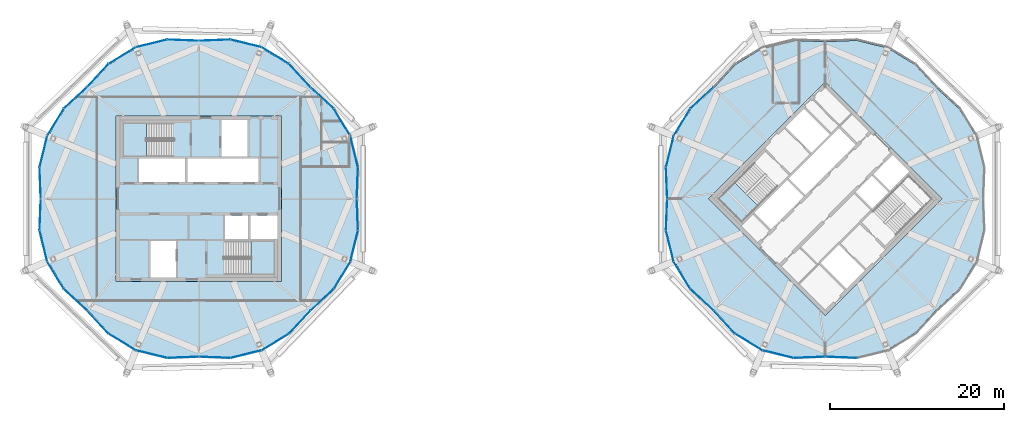
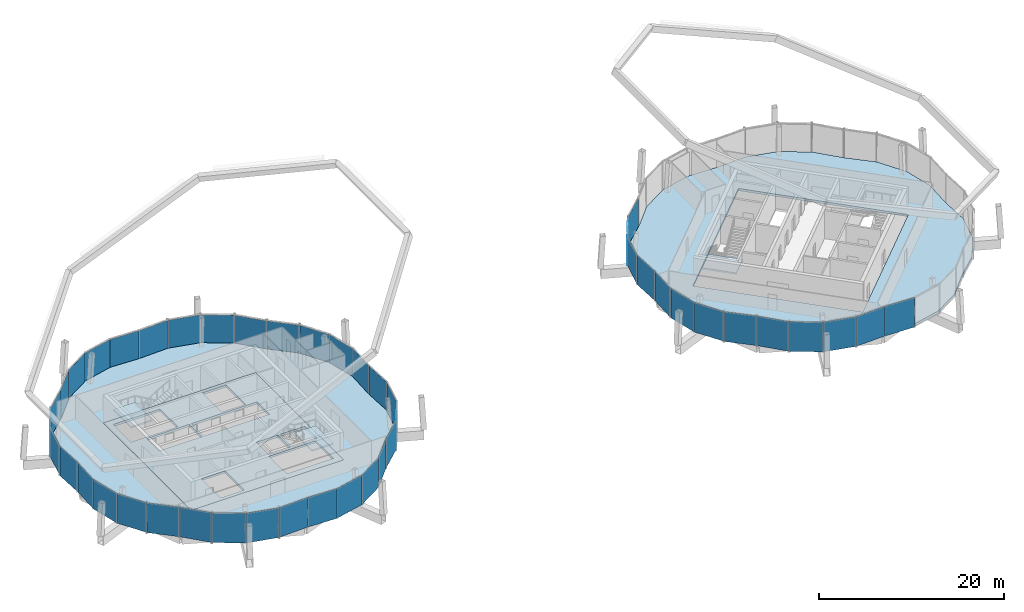
# One storey, part 26 of 34: 45 plates, 6 slabs, 16 elements without a shape of their own.
"""IFC4 building model written with IfcOpenShell, lengths in metres."""

from ifc_helpers import new_model, si_unit, direction, frame, origin, origin_2d, place, context, subcontext, project, spatial, polyline, rectangle, outline, extrude, material, layer, layer_set, type_object, element, aggregate, save


model = new_model("IFC4")

# Units and contexts
model_context = context("Model", 3, precision=1e-05, world=origin(), true_north=direction((0.0, 1.0)))
body_context = subcontext(model_context, "Body", "Model", "MODEL_VIEW")
ifc_project = project(units=[si_unit("LENGTHUNIT", "METRE"), si_unit("AREAUNIT", "SQUARE_METRE"), si_unit("VOLUMEUNIT", "CUBIC_METRE"), si_unit("PLANEANGLEUNIT", "RADIAN"), si_unit("MASSUNIT", "GRAM", prefix="KILO")], contexts=[model_context])

# Site, building, storey
site_placement = place(None, origin())
site = spatial("IfcSite", under=ifc_project, at=site_placement, CompositionType="ELEMENT")
building_placement = place(site_placement, origin())
building = spatial("IfcBuilding", under=site, at=building_placement, Name="Ogive Gate Towers", CompositionType="ELEMENT")
storey_placement = place(building_placement, frame((0.0, 0.0, 294.0)))
storey = spatial("IfcBuildingStorey", under=building, at=storey_placement, Name="L69", CompositionType="ELEMENT", Elevation=294.0)

# Slab
ifc_material_1 = material(Name="Concrete C40/50", Category="concrete")
ifc_layer_1 = layer(ifc_material_1, 0.300048828125)
ifc_layer_set_1 = layer_set([ifc_layer_1], Name="Core slab C40/50 300 mm")
slab_type_1 = type_object("IfcSlabType", Name="Core slab C40/50 300 mm", PredefinedType="FLOOR", material=ifc_layer_set_1)
slab_1_placement = place(storey_placement, frame((0.0, 0.0, -0.300048828125)))
element("IfcSlab", 1, at=slab_1_placement, inside=storey, type_object=slab_type_1, Name="T1 L69 core slab", PredefinedType="FLOOR", context=body_context, shape_type="SweptSolid", body=[
    extrude(outline(polyline([(-45.5, -9.5), (-45.5, 9.5), (-26.5, 9.5), (-26.5, -9.5), (-45.5, -9.5)]), holes=[polyline([(-42.875, 1.925048828125), (-37.574951171875, 1.925048828125), (-37.574951171875, 4.625), (-42.875, 4.625), (-42.875, 1.925048828125)]), polyline([(-37.324951171875, 4.625), (-37.324951171875, 1.925048828125), (-29.125, 1.925048828125), (-29.125, 4.625), (-37.324951171875, 4.625)]), polyline([(-30.324951171875, -1.925048828125), (-32.97509765625, -1.925048828125), (-32.97509765625, -4.625), (-30.324951171875, -4.625), (-30.324951171875, -1.925048828125)]), polyline([(-26.949951171875, -4.625), (-26.949951171875, -1.925048828125), (-30.074951171875, -1.925048828125), (-30.074951171875, -4.625), (-26.949951171875, -4.625)]), polyline([(-33.375, 4.875), (-30.425048828125, 4.875), (-30.425048828125, 9.050048828125), (-33.375, 9.050048828125), (-33.375, 4.875)]), polyline([(-41.574951171875, -4.875), (-41.574951171875, -9.050048828125), (-38.625, -9.050048828125), (-38.625, -4.875), (-41.574951171875, -4.875)]), polyline([(-44.699951171875, 4.875), (-38.885009765625, 4.875), (-38.885009765625, 8.699951171875), (-44.699951171875, 8.699951171875), (-44.699951171875, 4.875)]), polyline([(-27.300048828125, -8.699951171875), (-27.300048828125, -4.875), (-33.114990234375, -4.875), (-33.114990234375, -8.699951171875), (-27.300048828125, -8.699951171875)])]), origin(), (0.0, 0.0, 1.0), 0.300048828125),
])

# Curtain wall, plates
ifc_material_2 = material(Name="Pale metal aluminium", Category="aluminium")
curtain_wall_type = type_object("IfcCurtainWallType", Name="Crown lean wall", PredefinedType="NOTDEFINED", material=ifc_material_2)
curtain_wall_1_placement = place(storey_placement, origin())
curtain_wall_1 = element("IfcCurtainWall", 2, at=curtain_wall_1_placement, inside=storey, type_object=curtain_wall_type, Name="CW5 T1 ECW01", PredefinedType="NOTDEFINED")
ifc_material_3 = material(Name="Clear glass", Category="glass")
ifc_layer_2 = layer(ifc_material_3, 0.028076171875)
ifc_layer_set_2 = layer_set([ifc_layer_2], Name="Crown lean wall glass panel")
plate_type = type_object("IfcPlateType", Name="Crown lean wall glass panel", PredefinedType="CURTAIN_PANEL", material=ifc_layer_set_2)
plate_1_placement = place(storey_placement, frame((-21.82958984375, 11.6064453125, -0.2998046875), z_axis=(0.0, 0.0, 1.0), x_axis=(0.734547567907, -0.678557197649, 0.0)))
plate_1 = element("IfcPlate", 3, at=plate_1_placement, type_object=plate_type, Name="CW5 glass panel", PredefinedType="CURTAIN_PANEL", context=body_context, shape_type="SweptSolid", body=[
    extrude(rectangle(XDim=3.5849609375, YDim=0.028076171875, at=origin_2d()), origin(), (0.0, 0.0, 1.0), 3.904052734375),
])
plate_2_placement = place(storey_placement, frame((-19.53662109375, 8.794189453125, -0.2998046875), z_axis=(0.0, 0.0, 1.0), x_axis=(0.51862403999, -0.855002400666, 0.0)))
plate_2 = element("IfcPlate", 4, at=plate_2_placement, type_object=plate_type, Name="CW5 glass panel", PredefinedType="CURTAIN_PANEL", context=body_context, shape_type="SweptSolid", body=[
    extrude(rectangle(XDim=3.639892578125, YDim=0.028076171875, at=origin_2d()), origin(), (0.0, 0.0, 1.0), 3.904052734375),
])
plate_3_placement = place(storey_placement, frame((-18.14013671875, 5.4228515625, -0.2998046875), z_axis=(0.0, 0.0, 1.0), x_axis=(0.237872372235, -0.971296419497, 0.0)))
plate_3 = element("IfcPlate", 5, at=plate_3_placement, type_object=plate_type, Name="CW5 glass panel", PredefinedType="CURTAIN_PANEL", context=body_context, shape_type="SweptSolid", body=[
    extrude(rectangle(XDim=3.6396484375, YDim=0.028076171875, at=origin_2d()), origin(), (0.0, 0.0, 1.0), 3.904052734375),
])
plate_4_placement = place(storey_placement, frame((-17.77294921875, 1.81298828125, -0.2998046875), z_axis=(0.0, 0.0, 1.0), x_axis=(-0.039608610093, -0.999215271104, 0.0)))
plate_4 = element("IfcPlate", 6, at=plate_4_placement, type_object=plate_type, Name="CW5 glass panel", PredefinedType="CURTAIN_PANEL", context=body_context, shape_type="SweptSolid", body=[
    extrude(rectangle(XDim=3.5849609375, YDim=0.028076171875, at=origin_2d()), origin(), (0.0, 0.0, 1.0), 3.904052734375),
])
aggregate(curtain_wall_1, [plate_1, plate_2, plate_3, plate_4])

curtain_wall_2_placement = place(storey_placement, origin())
curtain_wall_2 = element("IfcCurtainWall", 7, at=curtain_wall_2_placement, inside=storey, type_object=curtain_wall_type, Name="CW5 T1 ECW02", PredefinedType="NOTDEFINED")
plate_5_placement = place(storey_placement, frame((-34.18701171875, 18.22705078125, -0.2998046875), z_axis=(0.0, 0.0, 1.0), x_axis=(0.999215271104, 0.039608610093, 0.0)))
plate_5 = element("IfcPlate", 8, at=plate_5_placement, type_object=plate_type, Name="CW5 glass panel", PredefinedType="CURTAIN_PANEL", context=body_context, shape_type="SweptSolid", body=[
    extrude(rectangle(XDim=3.5849609375, YDim=0.028076171875, at=origin_2d()), origin(), (0.0, 0.0, 1.0), 3.904052734375),
])
plate_6_placement = place(storey_placement, frame((-30.5771484375, 17.85986328125, -0.2998046875), z_axis=(0.0, 0.0, 1.0), x_axis=(0.971296419497, -0.237872372235, 0.0)))
plate_6 = element("IfcPlate", 9, at=plate_6_placement, type_object=plate_type, Name="CW5 glass panel", PredefinedType="CURTAIN_PANEL", context=body_context, shape_type="SweptSolid", body=[
    extrude(rectangle(XDim=3.6396484375, YDim=0.028076171875, at=origin_2d()), origin(), (0.0, 0.0, 1.0), 3.904052734375),
])
plate_7_placement = place(storey_placement, frame((-27.205810546875, 16.46337890625, -0.2998046875), z_axis=(0.0, 0.0, 1.0), x_axis=(0.855002400666, -0.51862403999, 0.0)))
plate_7 = element("IfcPlate", 10, at=plate_7_placement, type_object=plate_type, Name="CW5 glass panel", PredefinedType="CURTAIN_PANEL", context=body_context, shape_type="SweptSolid", body=[
    extrude(rectangle(XDim=3.639892578125, YDim=0.028076171875, at=origin_2d()), origin(), (0.0, 0.0, 1.0), 3.904052734375),
])
plate_8_placement = place(storey_placement, frame((-24.3935546875, 14.17041015625, -0.2998046875), z_axis=(0.0, 0.0, 1.0), x_axis=(0.678557197649, -0.734547567907, 0.0)))
plate_8 = element("IfcPlate", 11, at=plate_8_placement, type_object=plate_type, Name="CW5 glass panel", PredefinedType="CURTAIN_PANEL", context=body_context, shape_type="SweptSolid", body=[
    extrude(rectangle(XDim=3.5849609375, YDim=0.028076171875, at=origin_2d()), origin(), (0.0, 0.0, 1.0), 3.904052734375),
])
aggregate(curtain_wall_2, [plate_5, plate_6, plate_7, plate_8])

curtain_wall_3_placement = place(storey_placement, origin())
curtain_wall_3 = element("IfcCurtainWall", 12, at=curtain_wall_3_placement, inside=storey, type_object=curtain_wall_type, Name="CW5 T1 ECW03", PredefinedType="NOTDEFINED")
plate_9_placement = place(storey_placement, frame((-47.6064453125, 14.17041015625, -0.2998046875), z_axis=(0.0, 0.0, 1.0), x_axis=(0.678557197649, 0.734547567907, 0.0)))
plate_9 = element("IfcPlate", 13, at=plate_9_placement, type_object=plate_type, Name="CW5 glass panel", PredefinedType="CURTAIN_PANEL", context=body_context, shape_type="SweptSolid", body=[
    extrude(rectangle(XDim=3.5849609375, YDim=0.028076171875, at=origin_2d()), origin(), (0.0, 0.0, 1.0), 3.904052734375),
])
plate_10_placement = place(storey_placement, frame((-44.794189453125, 16.46337890625, -0.2998046875), z_axis=(0.0, 0.0, 1.0), x_axis=(0.855002400666, 0.51862403999, 0.0)))
plate_10 = element("IfcPlate", 14, at=plate_10_placement, type_object=plate_type, Name="CW5 glass panel", PredefinedType="CURTAIN_PANEL", context=body_context, shape_type="SweptSolid", body=[
    extrude(rectangle(XDim=3.639892578125, YDim=0.028076171875, at=origin_2d()), origin(), (0.0, 0.0, 1.0), 3.904052734375),
])
plate_11_placement = place(storey_placement, frame((-41.4228515625, 17.85986328125, -0.2998046875), z_axis=(0.0, 0.0, 1.0), x_axis=(0.971296419497, 0.237872372235, 0.0)))
plate_11 = element("IfcPlate", 15, at=plate_11_placement, type_object=plate_type, Name="CW5 glass panel", PredefinedType="CURTAIN_PANEL", context=body_context, shape_type="SweptSolid", body=[
    extrude(rectangle(XDim=3.6396484375, YDim=0.028076171875, at=origin_2d()), origin(), (0.0, 0.0, 1.0), 3.904052734375),
])
plate_12_placement = place(storey_placement, frame((-37.81298828125, 18.22705078125, -0.2998046875), z_axis=(0.0, 0.0, 1.0), x_axis=(0.999215271104, -0.039608610093, 0.0)))
plate_12 = element("IfcPlate", 16, at=plate_12_placement, type_object=plate_type, Name="CW5 glass panel", PredefinedType="CURTAIN_PANEL", context=body_context, shape_type="SweptSolid", body=[
    extrude(rectangle(XDim=3.5849609375, YDim=0.028076171875, at=origin_2d()), origin(), (0.0, 0.0, 1.0), 3.904052734375),
])
aggregate(curtain_wall_3, [plate_9, plate_10, plate_11, plate_12])

curtain_wall_4_placement = place(storey_placement, origin())
curtain_wall_4 = element("IfcCurtainWall", 17, at=curtain_wall_4_placement, inside=storey, type_object=curtain_wall_type, Name="CW5 T1 ECW04", PredefinedType="NOTDEFINED")
plate_13_placement = place(storey_placement, frame((-54.22705078125, 1.81298828125, -0.2998046875), z_axis=(0.0, 0.0, 1.0), x_axis=(-0.039608610093, 0.999215271104, 0.0)))
plate_13 = element("IfcPlate", 18, at=plate_13_placement, type_object=plate_type, Name="CW5 glass panel", PredefinedType="CURTAIN_PANEL", context=body_context, shape_type="SweptSolid", body=[
    extrude(rectangle(XDim=3.5849609375, YDim=0.028076171875, at=origin_2d()), origin(), (0.0, 0.0, 1.0), 3.904052734375),
])
plate_14_placement = place(storey_placement, frame((-53.85986328125, 5.4228515625, -0.2998046875), z_axis=(0.0, 0.0, 1.0), x_axis=(0.237872372235, 0.971296419497, 0.0)))
plate_14 = element("IfcPlate", 19, at=plate_14_placement, type_object=plate_type, Name="CW5 glass panel", PredefinedType="CURTAIN_PANEL", context=body_context, shape_type="SweptSolid", body=[
    extrude(rectangle(XDim=3.6396484375, YDim=0.028076171875, at=origin_2d()), origin(), (0.0, 0.0, 1.0), 3.904052734375),
])
plate_15_placement = place(storey_placement, frame((-52.46337890625, 8.794189453125, -0.2998046875), z_axis=(0.0, 0.0, 1.0), x_axis=(0.51862403999, 0.855002400666, 0.0)))
plate_15 = element("IfcPlate", 20, at=plate_15_placement, type_object=plate_type, Name="CW5 glass panel", PredefinedType="CURTAIN_PANEL", context=body_context, shape_type="SweptSolid", body=[
    extrude(rectangle(XDim=3.639892578125, YDim=0.028076171875, at=origin_2d()), origin(), (0.0, 0.0, 1.0), 3.904052734375),
])
plate_16_placement = place(storey_placement, frame((-50.17041015625, 11.6064453125, -0.2998046875), z_axis=(0.0, 0.0, 1.0), x_axis=(0.734547567907, 0.678557197649, 0.0)))
plate_16 = element("IfcPlate", 21, at=plate_16_placement, type_object=plate_type, Name="CW5 glass panel", PredefinedType="CURTAIN_PANEL", context=body_context, shape_type="SweptSolid", body=[
    extrude(rectangle(XDim=3.5849609375, YDim=0.028076171875, at=origin_2d()), origin(), (0.0, 0.0, 1.0), 3.904052734375),
])
aggregate(curtain_wall_4, [plate_13, plate_14, plate_15, plate_16])

curtain_wall_5_placement = place(storey_placement, origin())
curtain_wall_5 = element("IfcCurtainWall", 22, at=curtain_wall_5_placement, inside=storey, type_object=curtain_wall_type, Name="CW5 T1 ECW05", PredefinedType="NOTDEFINED")
plate_17_placement = place(storey_placement, frame((-50.17041015625, -11.6064453125, -0.2998046875), z_axis=(0.0, 0.0, 1.0), x_axis=(-0.734547567907, 0.678557197649, 0.0)))
plate_17 = element("IfcPlate", 23, at=plate_17_placement, type_object=plate_type, Name="CW5 glass panel", PredefinedType="CURTAIN_PANEL", context=body_context, shape_type="SweptSolid", body=[
    extrude(rectangle(XDim=3.5849609375, YDim=0.028076171875, at=origin_2d()), origin(), (0.0, 0.0, 1.0), 3.904052734375),
])
plate_18_placement = place(storey_placement, frame((-52.46337890625, -8.794189453125, -0.2998046875), z_axis=(0.0, 0.0, 1.0), x_axis=(-0.51862403999, 0.855002400666, 0.0)))
plate_18 = element("IfcPlate", 24, at=plate_18_placement, type_object=plate_type, Name="CW5 glass panel", PredefinedType="CURTAIN_PANEL", context=body_context, shape_type="SweptSolid", body=[
    extrude(rectangle(XDim=3.639892578125, YDim=0.028076171875, at=origin_2d()), origin(), (0.0, 0.0, 1.0), 3.904052734375),
])
plate_19_placement = place(storey_placement, frame((-53.85986328125, -5.4228515625, -0.2998046875), z_axis=(0.0, 0.0, 1.0), x_axis=(-0.237872372235, 0.971296419497, 0.0)))
plate_19 = element("IfcPlate", 25, at=plate_19_placement, type_object=plate_type, Name="CW5 glass panel", PredefinedType="CURTAIN_PANEL", context=body_context, shape_type="SweptSolid", body=[
    extrude(rectangle(XDim=3.6396484375, YDim=0.028076171875, at=origin_2d()), origin(), (0.0, 0.0, 1.0), 3.904052734375),
])
plate_20_placement = place(storey_placement, frame((-54.22705078125, -1.81298828125, -0.2998046875), z_axis=(0.0, 0.0, 1.0), x_axis=(0.039608610093, 0.999215271104, 0.0)))
plate_20 = element("IfcPlate", 26, at=plate_20_placement, type_object=plate_type, Name="CW5 glass panel", PredefinedType="CURTAIN_PANEL", context=body_context, shape_type="SweptSolid", body=[
    extrude(rectangle(XDim=3.5849609375, YDim=0.028076171875, at=origin_2d()), origin(), (0.0, 0.0, 1.0), 3.904052734375),
])
aggregate(curtain_wall_5, [plate_17, plate_18, plate_19, plate_20])

curtain_wall_6_placement = place(storey_placement, origin())
curtain_wall_6 = element("IfcCurtainWall", 27, at=curtain_wall_6_placement, inside=storey, type_object=curtain_wall_type, Name="CW5 T1 ECW06", PredefinedType="NOTDEFINED")
plate_21_placement = place(storey_placement, frame((-37.81298828125, -18.22705078125, -0.2998046875), z_axis=(0.0, 0.0, 1.0), x_axis=(-0.999215271104, -0.039608610093, 0.0)))
plate_21 = element("IfcPlate", 28, at=plate_21_placement, type_object=plate_type, Name="CW5 glass panel", PredefinedType="CURTAIN_PANEL", context=body_context, shape_type="SweptSolid", body=[
    extrude(rectangle(XDim=3.5849609375, YDim=0.028076171875, at=origin_2d()), origin(), (0.0, 0.0, 1.0), 3.904052734375),
])
plate_22_placement = place(storey_placement, frame((-41.4228515625, -17.85986328125, -0.2998046875), z_axis=(0.0, 0.0, 1.0), x_axis=(-0.971296419497, 0.237872372235, 0.0)))
plate_22 = element("IfcPlate", 29, at=plate_22_placement, type_object=plate_type, Name="CW5 glass panel", PredefinedType="CURTAIN_PANEL", context=body_context, shape_type="SweptSolid", body=[
    extrude(rectangle(XDim=3.6396484375, YDim=0.028076171875, at=origin_2d()), origin(), (0.0, 0.0, 1.0), 3.904052734375),
])
plate_23_placement = place(storey_placement, frame((-44.794189453125, -16.46337890625, -0.2998046875), z_axis=(0.0, 0.0, 1.0), x_axis=(-0.855002400666, 0.51862403999, 0.0)))
plate_23 = element("IfcPlate", 30, at=plate_23_placement, type_object=plate_type, Name="CW5 glass panel", PredefinedType="CURTAIN_PANEL", context=body_context, shape_type="SweptSolid", body=[
    extrude(rectangle(XDim=3.639892578125, YDim=0.028076171875, at=origin_2d()), origin(), (0.0, 0.0, 1.0), 3.904052734375),
])
plate_24_placement = place(storey_placement, frame((-47.6064453125, -14.17041015625, -0.2998046875), z_axis=(0.0, 0.0, 1.0), x_axis=(-0.678557197649, 0.734547567907, 0.0)))
plate_24 = element("IfcPlate", 31, at=plate_24_placement, type_object=plate_type, Name="CW5 glass panel", PredefinedType="CURTAIN_PANEL", context=body_context, shape_type="SweptSolid", body=[
    extrude(rectangle(XDim=3.5849609375, YDim=0.028076171875, at=origin_2d()), origin(), (0.0, 0.0, 1.0), 3.904052734375),
])
aggregate(curtain_wall_6, [plate_21, plate_22, plate_23, plate_24])

curtain_wall_7_placement = place(storey_placement, origin())
curtain_wall_7 = element("IfcCurtainWall", 32, at=curtain_wall_7_placement, inside=storey, type_object=curtain_wall_type, Name="CW5 T1 ECW07", PredefinedType="NOTDEFINED")
plate_25_placement = place(storey_placement, frame((-24.3935546875, -14.17041015625, -0.2998046875), z_axis=(0.0, 0.0, 1.0), x_axis=(-0.678557197649, -0.734547567907, 0.0)))
plate_25 = element("IfcPlate", 33, at=plate_25_placement, type_object=plate_type, Name="CW5 glass panel", PredefinedType="CURTAIN_PANEL", context=body_context, shape_type="SweptSolid", body=[
    extrude(rectangle(XDim=3.5849609375, YDim=0.028076171875, at=origin_2d()), origin(), (0.0, 0.0, 1.0), 3.904052734375),
])
plate_26_placement = place(storey_placement, frame((-27.205810546875, -16.46337890625, -0.2998046875), z_axis=(0.0, 0.0, 1.0), x_axis=(-0.855002400666, -0.51862403999, 0.0)))
plate_26 = element("IfcPlate", 34, at=plate_26_placement, type_object=plate_type, Name="CW5 glass panel", PredefinedType="CURTAIN_PANEL", context=body_context, shape_type="SweptSolid", body=[
    extrude(rectangle(XDim=3.639892578125, YDim=0.028076171875, at=origin_2d()), origin(), (0.0, 0.0, 1.0), 3.904052734375),
])
plate_27_placement = place(storey_placement, frame((-30.5771484375, -17.85986328125, -0.2998046875), z_axis=(0.0, 0.0, 1.0), x_axis=(-0.971296419497, -0.237872372235, 0.0)))
plate_27 = element("IfcPlate", 35, at=plate_27_placement, type_object=plate_type, Name="CW5 glass panel", PredefinedType="CURTAIN_PANEL", context=body_context, shape_type="SweptSolid", body=[
    extrude(rectangle(XDim=3.6396484375, YDim=0.028076171875, at=origin_2d()), origin(), (0.0, 0.0, 1.0), 3.904052734375),
])
plate_28_placement = place(storey_placement, frame((-34.18701171875, -18.22705078125, -0.2998046875), z_axis=(0.0, 0.0, 1.0), x_axis=(-0.999215271104, 0.039608610093, 0.0)))
plate_28 = element("IfcPlate", 36, at=plate_28_placement, type_object=plate_type, Name="CW5 glass panel", PredefinedType="CURTAIN_PANEL", context=body_context, shape_type="SweptSolid", body=[
    extrude(rectangle(XDim=3.5849609375, YDim=0.028076171875, at=origin_2d()), origin(), (0.0, 0.0, 1.0), 3.904052734375),
])
aggregate(curtain_wall_7, [plate_25, plate_26, plate_27, plate_28])

curtain_wall_8_placement = place(storey_placement, origin())
curtain_wall_8 = element("IfcCurtainWall", 37, at=curtain_wall_8_placement, inside=storey, type_object=curtain_wall_type, Name="CW5 T1 ECW08", PredefinedType="NOTDEFINED")
plate_29_placement = place(storey_placement, frame((-18.1396484375, -5.4208984375, -0.2998046875), z_axis=(0.0, 0.0, 1.0), x_axis=(-0.237872372235, -0.971296419497, 0.0)))
plate_29 = element("IfcPlate", 38, at=plate_29_placement, type_object=plate_type, Name="CW5 glass panel", PredefinedType="CURTAIN_PANEL", context=body_context, shape_type="SweptSolid", body=[
    extrude(rectangle(XDim=3.643798828125, YDim=0.028076171875, at=origin_2d()), origin(), (0.0, 0.0, 1.0), 3.904052734375),
])
plate_30_placement = place(storey_placement, frame((-19.53662109375, -8.794189453125, -0.2998046875), z_axis=(0.0, 0.0, 1.0), x_axis=(-0.51862403999, -0.855002400666, 0.0)))
plate_30 = element("IfcPlate", 39, at=plate_30_placement, type_object=plate_type, Name="CW5 glass panel", PredefinedType="CURTAIN_PANEL", context=body_context, shape_type="SweptSolid", body=[
    extrude(rectangle(XDim=3.639892578125, YDim=0.028076171875, at=origin_2d()), origin(), (0.0, 0.0, 1.0), 3.904052734375),
])
plate_31_placement = place(storey_placement, frame((-21.82958984375, -11.6064453125, -0.2998046875), z_axis=(0.0, 0.0, 1.0), x_axis=(-0.734547567907, -0.678557197649, 0.0)))
plate_31 = element("IfcPlate", 40, at=plate_31_placement, type_object=plate_type, Name="CW5 glass panel", PredefinedType="CURTAIN_PANEL", context=body_context, shape_type="SweptSolid", body=[
    extrude(rectangle(XDim=3.5849609375, YDim=0.028076171875, at=origin_2d()), origin(), (0.0, 0.0, 1.0), 3.904052734375),
])
aggregate(curtain_wall_8, [plate_29, plate_30, plate_31])

# Curtain wall, plate
curtain_wall_9_placement = place(storey_placement, origin())
curtain_wall_9 = element("IfcCurtainWall", 41, at=curtain_wall_9_placement, inside=storey, type_object=curtain_wall_type, Name="CW5 T1 ECW08b", PredefinedType="NOTDEFINED")
plate_32_placement = place(storey_placement, frame((-17.77294921875, -1.81494140625, -0.2998046875), z_axis=(0.0, 0.0, 1.0), x_axis=(0.039608610093, -0.999215271104, 0.0)))
plate_32 = element("IfcPlate", 42, at=plate_32_placement, type_object=plate_type, Name="CW5 glass panel", PredefinedType="CURTAIN_PANEL", context=body_context, shape_type="SweptSolid", body=[
    extrude(rectangle(XDim=3.5888671875, YDim=0.028076171875, at=origin_2d()), origin(), (0.0, 0.0, 1.0), 3.904052734375),
])
aggregate(curtain_wall_9, [plate_32])

# Curtain wall, plates
curtain_wall_10_placement = place(storey_placement, origin())
curtain_wall_10 = element("IfcCurtainWall", 43, at=curtain_wall_10_placement, inside=storey, type_object=curtain_wall_type, Name="CW5 T2 ECW04", PredefinedType="NOTDEFINED")
plate_33_placement = place(storey_placement, frame((17.77294921875, 1.81298828125, -0.2998046875), z_axis=(0.0, 0.0, 1.0), x_axis=(-0.039608610093, 0.999215271104, 0.0)))
plate_33 = element("IfcPlate", 44, at=plate_33_placement, type_object=plate_type, Name="CW5 glass panel", PredefinedType="CURTAIN_PANEL", context=body_context, shape_type="SweptSolid", body=[
    extrude(rectangle(XDim=3.5849609375, YDim=0.028076171875, at=origin_2d()), origin(), (0.0, 0.0, 1.0), 3.904052734375),
])
plate_34_placement = place(storey_placement, frame((18.14013671875, 5.4228515625, -0.2998046875), z_axis=(0.0, 0.0, 1.0), x_axis=(0.237872372235, 0.971296419497, 0.0)))
plate_34 = element("IfcPlate", 45, at=plate_34_placement, type_object=plate_type, Name="CW5 glass panel", PredefinedType="CURTAIN_PANEL", context=body_context, shape_type="SweptSolid", body=[
    extrude(rectangle(XDim=3.6396484375, YDim=0.028076171875, at=origin_2d()), origin(), (0.0, 0.0, 1.0), 3.904052734375),
])
plate_35_placement = place(storey_placement, frame((19.53662109375, 8.794189453125, -0.2998046875), z_axis=(0.0, 0.0, 1.0), x_axis=(0.51862403999, 0.855002400666, 0.0)))
plate_35 = element("IfcPlate", 46, at=plate_35_placement, type_object=plate_type, Name="CW5 glass panel", PredefinedType="CURTAIN_PANEL", context=body_context, shape_type="SweptSolid", body=[
    extrude(rectangle(XDim=3.639892578125, YDim=0.028076171875, at=origin_2d()), origin(), (0.0, 0.0, 1.0), 3.904052734375),
])
plate_36_placement = place(storey_placement, frame((21.82958984375, 11.6064453125, -0.2998046875), z_axis=(0.0, 0.0, 1.0), x_axis=(0.734547567907, 0.678557197649, 0.0)))
plate_36 = element("IfcPlate", 47, at=plate_36_placement, type_object=plate_type, Name="CW5 glass panel", PredefinedType="CURTAIN_PANEL", context=body_context, shape_type="SweptSolid", body=[
    extrude(rectangle(XDim=3.5849609375, YDim=0.028076171875, at=origin_2d()), origin(), (0.0, 0.0, 1.0), 3.904052734375),
])
aggregate(curtain_wall_10, [plate_33, plate_34, plate_35, plate_36])

curtain_wall_11_placement = place(storey_placement, origin())
curtain_wall_11 = element("IfcCurtainWall", 48, at=curtain_wall_11_placement, inside=storey, type_object=curtain_wall_type, Name="CW5 T2 ECW05", PredefinedType="NOTDEFINED")
plate_37_placement = place(storey_placement, frame((21.82958984375, -11.6064453125, -0.2998046875), z_axis=(0.0, 0.0, 1.0), x_axis=(-0.734547567907, 0.678557197649, 0.0)))
plate_37 = element("IfcPlate", 49, at=plate_37_placement, type_object=plate_type, Name="CW5 glass panel", PredefinedType="CURTAIN_PANEL", context=body_context, shape_type="SweptSolid", body=[
    extrude(rectangle(XDim=3.5849609375, YDim=0.028076171875, at=origin_2d()), origin(), (0.0, 0.0, 1.0), 3.904052734375),
])
plate_38_placement = place(storey_placement, frame((19.53662109375, -8.794189453125, -0.2998046875), z_axis=(0.0, 0.0, 1.0), x_axis=(-0.51862403999, 0.855002400666, 0.0)))
plate_38 = element("IfcPlate", 50, at=plate_38_placement, type_object=plate_type, Name="CW5 glass panel", PredefinedType="CURTAIN_PANEL", context=body_context, shape_type="SweptSolid", body=[
    extrude(rectangle(XDim=3.639892578125, YDim=0.028076171875, at=origin_2d()), origin(), (0.0, 0.0, 1.0), 3.904052734375),
])
plate_39_placement = place(storey_placement, frame((18.14013671875, -5.4228515625, -0.2998046875), z_axis=(0.0, 0.0, 1.0), x_axis=(-0.237872372235, 0.971296419497, 0.0)))
plate_39 = element("IfcPlate", 51, at=plate_39_placement, type_object=plate_type, Name="CW5 glass panel", PredefinedType="CURTAIN_PANEL", context=body_context, shape_type="SweptSolid", body=[
    extrude(rectangle(XDim=3.6396484375, YDim=0.028076171875, at=origin_2d()), origin(), (0.0, 0.0, 1.0), 3.904052734375),
])
plate_40_placement = place(storey_placement, frame((17.77294921875, -1.81298828125, -0.2998046875), z_axis=(0.0, 0.0, 1.0), x_axis=(0.039608610093, 0.999215271104, 0.0)))
plate_40 = element("IfcPlate", 52, at=plate_40_placement, type_object=plate_type, Name="CW5 glass panel", PredefinedType="CURTAIN_PANEL", context=body_context, shape_type="SweptSolid", body=[
    extrude(rectangle(XDim=3.5849609375, YDim=0.028076171875, at=origin_2d()), origin(), (0.0, 0.0, 1.0), 3.904052734375),
])
aggregate(curtain_wall_11, [plate_37, plate_38, plate_39, plate_40])

curtain_wall_12_placement = place(storey_placement, origin())
curtain_wall_12 = element("IfcCurtainWall", 53, at=curtain_wall_12_placement, inside=storey, type_object=curtain_wall_type, Name="CW5 T2 ECW06", PredefinedType="NOTDEFINED")
plate_41_placement = place(storey_placement, frame((34.18701171875, -18.22705078125, -0.2998046875), z_axis=(0.0, 0.0, 1.0), x_axis=(-0.999215271104, -0.039608610093, 0.0)))
plate_41 = element("IfcPlate", 54, at=plate_41_placement, type_object=plate_type, Name="CW5 glass panel", PredefinedType="CURTAIN_PANEL", context=body_context, shape_type="SweptSolid", body=[
    extrude(rectangle(XDim=3.5849609375, YDim=0.028076171875, at=origin_2d()), origin(), (0.0, 0.0, 1.0), 3.904052734375),
])
plate_42_placement = place(storey_placement, frame((30.5771484375, -17.85986328125, -0.2998046875), z_axis=(0.0, 0.0, 1.0), x_axis=(-0.971296419497, 0.237872372235, 0.0)))
plate_42 = element("IfcPlate", 55, at=plate_42_placement, type_object=plate_type, Name="CW5 glass panel", PredefinedType="CURTAIN_PANEL", context=body_context, shape_type="SweptSolid", body=[
    extrude(rectangle(XDim=3.6396484375, YDim=0.028076171875, at=origin_2d()), origin(), (0.0, 0.0, 1.0), 3.904052734375),
])
plate_43_placement = place(storey_placement, frame((27.205810546875, -16.46337890625, -0.2998046875), z_axis=(0.0, 0.0, 1.0), x_axis=(-0.855002400666, 0.51862403999, 0.0)))
plate_43 = element("IfcPlate", 56, at=plate_43_placement, type_object=plate_type, Name="CW5 glass panel", PredefinedType="CURTAIN_PANEL", context=body_context, shape_type="SweptSolid", body=[
    extrude(rectangle(XDim=3.639892578125, YDim=0.028076171875, at=origin_2d()), origin(), (0.0, 0.0, 1.0), 3.904052734375),
])
plate_44_placement = place(storey_placement, frame((24.3935546875, -14.17041015625, -0.2998046875), z_axis=(0.0, 0.0, 1.0), x_axis=(-0.678557197649, 0.734547567907, 0.0)))
plate_44 = element("IfcPlate", 57, at=plate_44_placement, type_object=plate_type, Name="CW5 glass panel", PredefinedType="CURTAIN_PANEL", context=body_context, shape_type="SweptSolid", body=[
    extrude(rectangle(XDim=3.5849609375, YDim=0.028076171875, at=origin_2d()), origin(), (0.0, 0.0, 1.0), 3.904052734375),
])
aggregate(curtain_wall_12, [plate_41, plate_42, plate_43, plate_44])

# Curtain wall, plate
curtain_wall_13_placement = place(storey_placement, origin())
curtain_wall_13 = element("IfcCurtainWall", 58, at=curtain_wall_13_placement, inside=storey, type_object=curtain_wall_type, Name="CW5 T2 ECW07", PredefinedType="NOTDEFINED")
plate_45_placement = place(storey_placement, frame((37.81298828125, -18.22705078125, -0.2998046875), z_axis=(0.0, 0.0, 1.0), x_axis=(-0.999215271104, 0.039608610093, 0.0)))
plate_45 = element("IfcPlate", 59, at=plate_45_placement, type_object=plate_type, Name="CW5 glass panel", PredefinedType="CURTAIN_PANEL", context=body_context, shape_type="SweptSolid", body=[
    extrude(rectangle(XDim=3.5849609375, YDim=0.028076171875, at=origin_2d()), origin(), (0.0, 0.0, 1.0), 3.904052734375),
])
aggregate(curtain_wall_13, [plate_45])

# Slabs
ifc_material_4 = material(Name="Concrete C35/45", Category="concrete")
ifc_layer_3 = layer(ifc_material_4, 0.300048828125)
ifc_layer_set_3 = layer_set([ifc_layer_3], Name="Floor slab 300")
slab_type_2 = type_object("IfcSlabType", Name="Floor slab 300", PredefinedType="FLOOR", material=ifc_layer_set_3)
slab_2_placement = place(storey_placement, frame((0.0, 0.0, -0.300048828125)))
element("IfcSlab", 60, at=slab_2_placement, inside=storey, type_object=slab_type_2, Name="T1/L69/SSL001", PredefinedType="FLOOR", context=body_context, shape_type="SweptSolid", body=[
    extrude(outline(polyline([(-18.672607421875, -7.17724609375), (-17.801513671875, -3.619873046875), (-17.945068359375, 0.0), (-17.801513671875, 3.619873046875), (-18.672607421875, 7.17724609375), (-20.572021484375, 10.30859375), (-23.233154296875, 12.766845703125), (-25.69140625, 15.427978515625), (-28.82275390625, 17.327392578125), (-32.380126953125, 18.198486328125), (-36.0, 18.054931640625), (-39.619873046875, 18.198486328125), (-43.17724609375, 17.327392578125), (-46.30859375, 15.427978515625), (-48.766845703125, 12.766845703125), (-51.427978515625, 10.30859375), (-53.327392578125, 7.17724609375), (-54.198486328125, 3.619873046875), (-54.054931640625, 0.0), (-54.198486328125, -3.619873046875), (-53.327392578125, -7.17724609375), (-51.427978515625, -10.30859375), (-48.766845703125, -12.766845703125), (-46.30859375, -15.427978515625), (-43.17724609375, -17.327392578125), (-39.619873046875, -18.198486328125), (-36.0, -18.054931640625), (-32.380126953125, -18.198486328125), (-28.82275390625, -17.327392578125), (-25.69140625, -15.427978515625), (-23.233154296875, -12.766845703125), (-20.572021484375, -10.30859375), (-18.672607421875, -7.17724609375)]), holes=[polyline([(-26.5, -9.5), (-45.5, -9.5), (-45.5, 9.5), (-26.5, 9.5), (-26.5, -9.5)])]), origin(), (0.0, 0.0, 1.0), 0.300048828125),
])
slab_3_placement = place(storey_placement, frame((0.0, 0.0, -0.300048828125)))
element("IfcSlab", 61, at=slab_3_placement, inside=storey, type_object=slab_type_2, Name="T2/L69/SSL001", PredefinedType="FLOOR", context=body_context, shape_type="SweptSolid", body=[
    extrude(outline(polyline([(53.327392578125, -7.17724609375), (54.198486328125, -3.619873046875), (54.054931640625, 0.0), (54.198486328125, 3.619873046875), (53.327392578125, 7.17724609375), (51.427978515625, 10.30859375), (48.766845703125, 12.766845703125), (46.30859375, 15.427978515625), (43.17724609375, 17.327392578125), (39.619873046875, 18.198486328125), (36.0, 18.054931640625), (32.380126953125, 18.198486328125), (28.82275390625, 17.327392578125), (25.69140625, 15.427978515625), (23.233154296875, 12.766845703125), (20.572021484375, 10.30859375), (18.672607421875, 7.17724609375), (17.801513671875, 3.619873046875), (17.945068359375, 0.0), (17.801513671875, -3.619873046875), (18.672607421875, -7.17724609375), (20.572021484375, -10.30859375), (23.233154296875, -12.766845703125), (25.69140625, -15.427978515625), (28.82275390625, -17.327392578125), (32.380126953125, -18.198486328125), (36.0, -18.054931640625), (39.619873046875, -18.198486328125), (43.17724609375, -17.327392578125), (46.30859375, -15.427978515625), (48.766845703125, -12.766845703125), (51.427978515625, -10.30859375), (53.327392578125, -7.17724609375)]), holes=[polyline([(49.43505859375, 0.0), (36.0, -13.43505859375), (22.56494140625, 0.0), (36.0, 13.43505859375), (49.43505859375, 0.0)])]), origin(), (0.0, 0.0, 1.0), 0.300048828125),
])

# Stair, slab
stair_type = type_object("IfcStairType", Name="Escape stair 1840 wide", PredefinedType="HALF_TURN_STAIR", material=ifc_material_1)
stair_1_placement = place(storey_placement, origin())
stair_1 = element("IfcStair", 62, at=stair_1_placement, inside=storey, type_object=stair_type, Name="L69 Escape stair 1", PredefinedType="HALF_TURN_STAIR")
ifc_layer_4 = layer(ifc_material_1, 0.199951171875)
ifc_layer_set_4 = layer_set([ifc_layer_4], Name="Stair landing 200 mm")
slab_type_3 = type_object("IfcSlabType", Name="Stair landing 200 mm", PredefinedType="LANDING", material=ifc_layer_set_4)
slab_4_placement = place(storey_placement, frame((0.0, 0.0, 1.800048828125)))
slab_4 = element("IfcSlab", 63, at=slab_4_placement, type_object=slab_type_3, Name="ST1 landing 1", PredefinedType="LANDING", context=body_context, shape_type="SweptSolid", body=[
    extrude(outline(polyline([(-42.027587890625, 8.699951171875), (-44.699951171875, 8.699951171875), (-44.699951171875, 4.875), (-42.027587890625, 4.875), (-42.027587890625, 8.699951171875)])), origin(), (0.0, 0.0, 1.0), 0.199951171875),
])
aggregate(stair_1, [slab_4])

stair_2_placement = place(storey_placement, origin())
stair_2 = element("IfcStair", 64, at=stair_2_placement, inside=storey, type_object=stair_type, Name="L69 Escape stair 2", PredefinedType="HALF_TURN_STAIR")
slab_5_placement = place(storey_placement, frame((0.0, 0.0, 1.800048828125)))
slab_5 = element("IfcSlab", 65, at=slab_5_placement, type_object=slab_type_3, Name="ST2 landing 1", PredefinedType="LANDING", context=body_context, shape_type="SweptSolid", body=[
    extrude(outline(polyline([(-29.972412109375, -8.699951171875), (-27.300048828125, -8.699951171875), (-27.300048828125, -4.875), (-29.972412109375, -4.875), (-29.972412109375, -8.699951171875)])), origin(), (0.0, 0.0, 1.0), 0.199951171875),
])
aggregate(stair_2, [slab_5])

stair_3_placement = place(storey_placement, origin())
stair_3 = element("IfcStair", 66, at=stair_3_placement, inside=storey, type_object=stair_type, Name="L69 Escape stair 1", PredefinedType="HALF_TURN_STAIR")
slab_6_placement = place(storey_placement, frame((0.0, 0.0, 1.800048828125)))
slab_6 = element("IfcSlab", 67, at=slab_6_placement, type_object=slab_type_3, Name="ST1 landing 1", PredefinedType="LANDING", context=body_context, shape_type="SweptSolid", body=[
    extrude(outline(polyline([(25.586181640625, 1.8896484375), (23.6962890625, 0.0), (26.401123046875, -2.70458984375), (28.290771484375, -0.81494140625), (25.586181640625, 1.8896484375)])), origin(), (0.0, 0.0, 1.0), 0.199951171875),
])
aggregate(stair_3, [slab_6])

save(model, "model.ifc")
